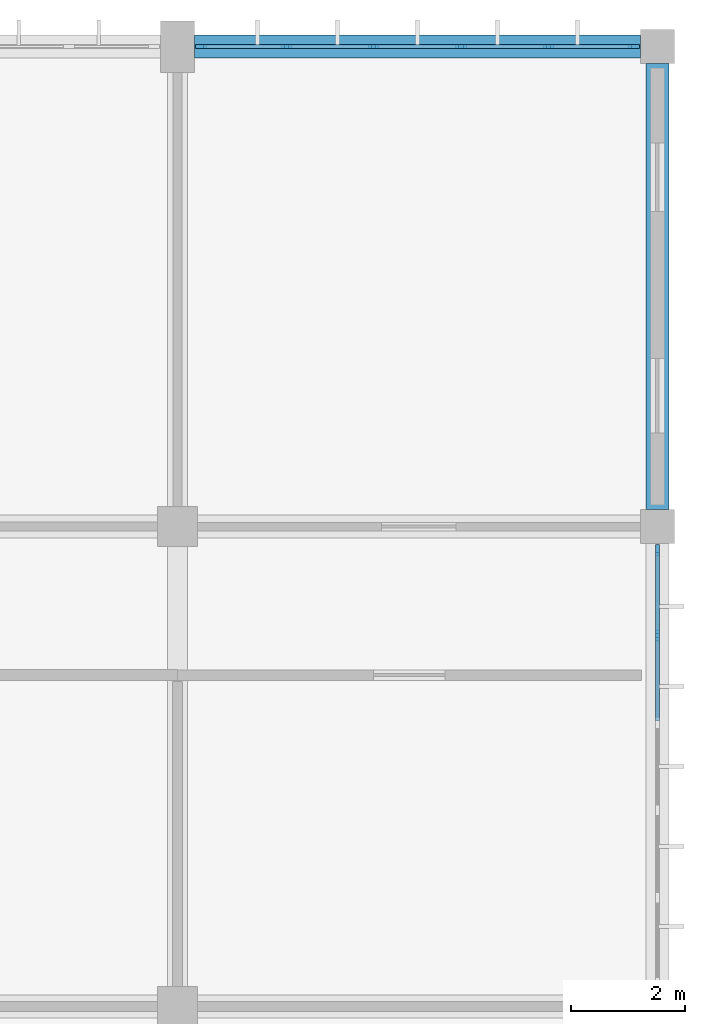
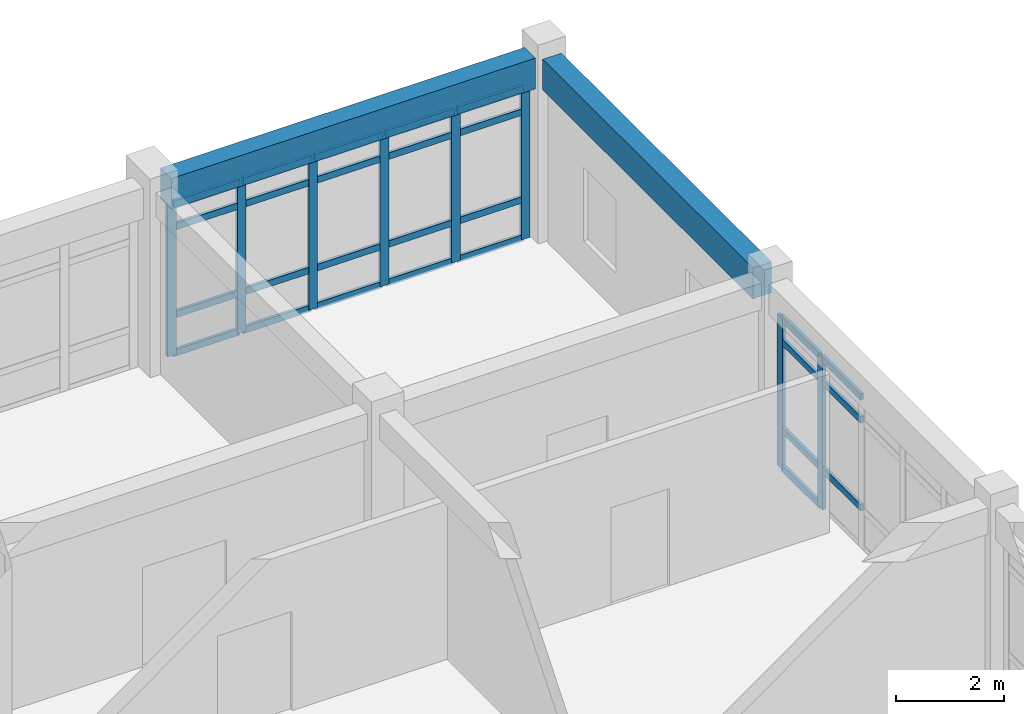
# One storey, part 69 of 144: 35 members, 2 beams, 2 elements without a shape of their own.
"""IFC4 building model written with IfcOpenShell, lengths in metres."""

from ifc_helpers import new_model, si_unit, direction, frame, origin, origin_2d, place, context, subcontext, project, spatial, rectangle, extrude, material, layer, layer_set, material_profile, profile_set, type_object, element, aggregate, save


model = new_model("IFC4")

# Units and contexts
model_context = context("Model", 3, precision=1e-05, world=origin(), true_north=direction((0.0, 1.0)))
body_context = subcontext(model_context, "Body", "Model", "MODEL_VIEW")
ifc_project = project(units=[si_unit("LENGTHUNIT", "METRE"), si_unit("AREAUNIT", "SQUARE_METRE"), si_unit("VOLUMEUNIT", "CUBIC_METRE"), si_unit("PLANEANGLEUNIT", "RADIAN"), si_unit("MASSUNIT", "GRAM", prefix="KILO")], contexts=[model_context])

# Site, building, storey
site_placement = place(None, origin())
site = spatial("IfcSite", under=ifc_project, at=site_placement, CompositionType="ELEMENT")
building_placement = place(site_placement, origin())
building = spatial("IfcBuilding", under=site, at=building_placement, Name="Bramfleet General Hospital", CompositionType="ELEMENT")
storey_placement = place(building_placement, frame((0.0, 0.0, 4.800048828125)))
storey = spatial("IfcBuildingStorey", under=building, at=storey_placement, Name="L01", CompositionType="ELEMENT", Elevation=4.800048828125)

# Beams
ifc_material_1 = material(Name="Concrete C35/45", Category="concrete")
ifc_material_profile_1 = material_profile(ifc_material_1, rectangle(XDim=0.39990234375, YDim=0.699951171875, at=origin_2d()), Name="RC SP 700x400")
ifc_profile_set_1 = profile_set([ifc_material_profile_1], Name="Concrete C35/45")
beam_type = type_object("IfcBeamType", Name="BM-SP700", PredefinedType="SPANDREL", material=ifc_profile_set_1)
for number, where, z_axis, x_axis, name in (
    (1, (159.89990234375, 117.60009765625, 3.800048828125), (1.0, 0.0, 0.0), (0.0, 1.0, 0.0), "L01 Grid Beam X 19-14"),
    (2, (168.0, 109.5, 3.800048828125), (0.0, 1.0, 0.0), (-1.0, 0.0, 0.0), "L01 Grid Beam Y 20-13"),
):
    element("IfcBeam", number, at=place(storey_placement, frame(where, z_axis=z_axis, x_axis=x_axis)), inside=storey, type_object=beam_type, Name=name, PredefinedType="SPANDREL", context=body_context, shape_type="SweptSolid", body=[
        extrude(rectangle(XDim=0.39990234375, YDim=0.699951171875, at=origin_2d()), origin(), (0.0, 0.0, 1.0), 7.800048828125),
    ])

# Curtain wall, members
ifc_material_2 = material(Name="Anodised aluminium and low-E triple glazing", Category="aluminium")
ifc_layer_1 = layer(ifc_material_2, 0.179931640625, Name="CWT-CW-12")
ifc_layer_set_1 = layer_set([ifc_layer_1], Name="Anodised aluminium and low-E triple glazing")
curtain_wall_type_1 = type_object("IfcCurtainWallType", Name="CWT-CW-12", PredefinedType="USERDEFINED", material=ifc_layer_set_1)
curtain_wall_1_placement = place(storey_placement, origin())
curtain_wall_1 = element("IfcCurtainWall", 3, at=curtain_wall_1_placement, inside=storey, type_object=curtain_wall_type_1, Name="L01 Curtain Wall 48", ObjectType="Stick curtain wall", PredefinedType="USERDEFINED")
ifc_material_3 = material(Name="Structural timber GL28h", Category="wood")
ifc_material_profile_2 = material_profile(ifc_material_3, rectangle(XDim=0.070068359375, YDim=0.18994140625, at=origin_2d()), Name="LARCH 190x70")
ifc_profile_set_2 = profile_set([ifc_material_profile_2], Name="Structural timber GL28h")
member_type_1 = type_object("IfcMemberType", Name="CWM-LARCH450", PredefinedType="MULLION", material=ifc_profile_set_2)
member_1_placement = place(storey_placement, frame((160.010009765625, 117.60009765625, 0.0), z_axis=(0.0, 0.0, 1.0), x_axis=(0.0, 1.0, 0.0)))
member_1 = element("IfcMember", 4, at=member_1_placement, type_object=member_type_1, Name="CW-12 mullion 1", PredefinedType="MULLION", context=body_context, shape_type="SweptSolid", body=[
    extrude(rectangle(XDim=0.070068359375, YDim=0.18994140625, at=origin_2d()), origin(), (0.0, 0.0, 1.0), 3.43994140625),
])
member_2_placement = place(storey_placement, frame((161.5048828125, 117.60009765625, 0.0), z_axis=(0.0, 0.0, 1.0), x_axis=(0.0, 1.0, 0.0)))
member_2 = element("IfcMember", 5, at=member_2_placement, type_object=member_type_1, Name="CW-12 mullion 2", PredefinedType="MULLION", context=body_context, shape_type="SweptSolid", body=[
    extrude(rectangle(XDim=0.070068359375, YDim=0.18994140625, at=origin_2d()), origin(), (0.0, 0.0, 1.0), 3.43994140625),
])
member_3_placement = place(storey_placement, frame((163.034912109375, 117.60009765625, 0.0), z_axis=(0.0, 0.0, 1.0), x_axis=(0.0, 1.0, 0.0)))
member_3 = element("IfcMember", 6, at=member_3_placement, type_object=member_type_1, Name="CW-12 mullion 3", PredefinedType="MULLION", context=body_context, shape_type="SweptSolid", body=[
    extrude(rectangle(XDim=0.070068359375, YDim=0.18994140625, at=origin_2d()), origin(), (0.0, 0.0, 1.0), 3.43994140625),
])
member_4_placement = place(storey_placement, frame((164.56494140625, 117.60009765625, 0.0), z_axis=(0.0, 0.0, 1.0), x_axis=(0.0, 1.0, 0.0)))
member_4 = element("IfcMember", 7, at=member_4_placement, type_object=member_type_1, Name="CW-12 mullion 4", PredefinedType="MULLION", context=body_context, shape_type="SweptSolid", body=[
    extrude(rectangle(XDim=0.070068359375, YDim=0.18994140625, at=origin_2d()), origin(), (0.0, 0.0, 1.0), 3.43994140625),
])
member_5_placement = place(storey_placement, frame((166.094970703125, 117.60009765625, 0.0), z_axis=(0.0, 0.0, 1.0), x_axis=(0.0, 1.0, 0.0)))
member_5 = element("IfcMember", 8, at=member_5_placement, type_object=member_type_1, Name="CW-12 mullion 5", PredefinedType="MULLION", context=body_context, shape_type="SweptSolid", body=[
    extrude(rectangle(XDim=0.070068359375, YDim=0.18994140625, at=origin_2d()), origin(), (0.0, 0.0, 1.0), 3.43994140625),
])
member_6_placement = place(storey_placement, frame((167.590087890625, 117.60009765625, 0.0), z_axis=(0.0, 0.0, 1.0), x_axis=(0.0, 1.0, 0.0)))
member_6 = element("IfcMember", 9, at=member_6_placement, type_object=member_type_1, Name="CW-12 mullion 6", PredefinedType="MULLION", context=body_context, shape_type="SweptSolid", body=[
    extrude(rectangle(XDim=0.070068359375, YDim=0.18994140625, at=origin_2d()), origin(), (0.0, 0.0, 1.0), 3.43994140625),
])

ifc_layer_2 = layer(ifc_material_2, 0.179931640625, Name="CWT-CW-13")
ifc_layer_set_2 = layer_set([ifc_layer_2], Name="Anodised aluminium and low-E triple glazing")
curtain_wall_type_2 = type_object("IfcCurtainWallType", Name="CWT-CW-13", PredefinedType="USERDEFINED", material=ifc_layer_set_2)
curtain_wall_2_placement = place(storey_placement, origin())
curtain_wall_2 = element("IfcCurtainWall", 10, at=curtain_wall_2_placement, inside=storey, type_object=curtain_wall_type_2, Name="L01 Curtain Wall 49", ObjectType="Stick curtain wall", PredefinedType="USERDEFINED")
member_7_placement = place(storey_placement, frame((168.0, 108.7900390625, 0.0), z_axis=(0.0, 0.0, 1.0), x_axis=(1.0, 0.0, 0.0)))
member_7 = element("IfcMember", 11, at=member_7_placement, type_object=member_type_1, Name="CW-13 mullion 1", PredefinedType="MULLION", context=body_context, shape_type="SweptSolid", body=[
    extrude(rectangle(XDim=0.070068359375, YDim=0.18994140625, at=origin_2d()), origin(), (0.0, 0.0, 1.0), 3.43994140625),
])
member_8_placement = place(storey_placement, frame((168.0, 107.294921875, 0.0), z_axis=(0.0, 0.0, 1.0), x_axis=(1.0, 0.0, 0.0)))
member_8 = element("IfcMember", 12, at=member_8_placement, type_object=member_type_1, Name="CW-13 mullion 2", PredefinedType="MULLION", context=body_context, shape_type="SweptSolid", body=[
    extrude(rectangle(XDim=0.070068359375, YDim=0.18994140625, at=origin_2d()), origin(), (0.0, 0.0, 1.0), 3.43994140625),
])

# Member
ifc_material_profile_3 = material_profile(ifc_material_3, rectangle(XDim=0.06494140625, YDim=0.14990234375, at=origin_2d()), Name="LARCH 150x65")
ifc_profile_set_3 = profile_set([ifc_material_profile_3], Name="Structural timber GL28h")
member_type_2 = type_object("IfcMemberType", Name="CWT-LARCH220", PredefinedType="USERDEFINED", material=ifc_profile_set_3)
member_9_placement = place(storey_placement, frame((160.044921875, 117.60009765625, 0.032470703125), z_axis=(1.0, 0.0, 0.0), x_axis=(0.0, 1.0, 0.0)))
member_9 = element("IfcMember", 13, at=member_9_placement, type_object=member_type_2, Name="CW-12 transom 1.1", ObjectType="TRANSOM", PredefinedType="USERDEFINED", context=body_context, shape_type="SweptSolid", body=[
    extrude(rectangle(XDim=0.06494140625, YDim=0.14990234375, at=origin_2d()), origin(), (0.0, 0.0, 1.0), 1.425048828125),
])

member_10_placement = place(storey_placement, frame((160.044921875, 117.60009765625, 0.89990234375), z_axis=(1.0, 0.0, 0.0), x_axis=(0.0, 1.0, 0.0)))
member_10 = element("IfcMember", 14, at=member_10_placement, type_object=member_type_2, Name="CW-12 transom 1.2", ObjectType="TRANSOM", PredefinedType="USERDEFINED", context=body_context, shape_type="SweptSolid", body=[
    extrude(rectangle(XDim=0.06494140625, YDim=0.14990234375, at=origin_2d()), origin(), (0.0, 0.0, 1.0), 1.425048828125),
])

member_11_placement = place(storey_placement, frame((160.044921875, 117.60009765625, 2.889892578125), z_axis=(1.0, 0.0, 0.0), x_axis=(0.0, 1.0, 0.0)))
member_11 = element("IfcMember", 15, at=member_11_placement, type_object=member_type_2, Name="CW-12 transom 1.3", ObjectType="TRANSOM", PredefinedType="USERDEFINED", context=body_context, shape_type="SweptSolid", body=[
    extrude(rectangle(XDim=0.06494140625, YDim=0.14990234375, at=origin_2d()), origin(), (0.0, 0.0, 1.0), 1.425048828125),
])

member_12_placement = place(storey_placement, frame((160.044921875, 117.60009765625, 3.407470703125), z_axis=(1.0, 0.0, 0.0), x_axis=(0.0, 1.0, 0.0)))
member_12 = element("IfcMember", 16, at=member_12_placement, type_object=member_type_2, Name="CW-12 transom 1.4", ObjectType="TRANSOM", PredefinedType="USERDEFINED", context=body_context, shape_type="SweptSolid", body=[
    extrude(rectangle(XDim=0.06494140625, YDim=0.14990234375, at=origin_2d()), origin(), (0.0, 0.0, 1.0), 1.425048828125),
])

member_13_placement = place(storey_placement, frame((161.5400390625, 117.60009765625, 0.032470703125), z_axis=(1.0, 0.0, 0.0), x_axis=(0.0, 1.0, 0.0)))
member_13 = element("IfcMember", 17, at=member_13_placement, type_object=member_type_2, Name="CW-12 transom 2.1", ObjectType="TRANSOM", PredefinedType="USERDEFINED", context=body_context, shape_type="SweptSolid", body=[
    extrude(rectangle(XDim=0.06494140625, YDim=0.14990234375, at=origin_2d()), origin(), (0.0, 0.0, 1.0), 1.4599609375),
])

member_14_placement = place(storey_placement, frame((161.5400390625, 117.60009765625, 0.89990234375), z_axis=(1.0, 0.0, 0.0), x_axis=(0.0, 1.0, 0.0)))
member_14 = element("IfcMember", 18, at=member_14_placement, type_object=member_type_2, Name="CW-12 transom 2.2", ObjectType="TRANSOM", PredefinedType="USERDEFINED", context=body_context, shape_type="SweptSolid", body=[
    extrude(rectangle(XDim=0.06494140625, YDim=0.14990234375, at=origin_2d()), origin(), (0.0, 0.0, 1.0), 1.4599609375),
])

member_15_placement = place(storey_placement, frame((161.5400390625, 117.60009765625, 2.889892578125), z_axis=(1.0, 0.0, 0.0), x_axis=(0.0, 1.0, 0.0)))
member_15 = element("IfcMember", 19, at=member_15_placement, type_object=member_type_2, Name="CW-12 transom 2.3", ObjectType="TRANSOM", PredefinedType="USERDEFINED", context=body_context, shape_type="SweptSolid", body=[
    extrude(rectangle(XDim=0.06494140625, YDim=0.14990234375, at=origin_2d()), origin(), (0.0, 0.0, 1.0), 1.4599609375),
])

member_16_placement = place(storey_placement, frame((161.5400390625, 117.60009765625, 3.407470703125), z_axis=(1.0, 0.0, 0.0), x_axis=(0.0, 1.0, 0.0)))
member_16 = element("IfcMember", 20, at=member_16_placement, type_object=member_type_2, Name="CW-12 transom 2.4", ObjectType="TRANSOM", PredefinedType="USERDEFINED", context=body_context, shape_type="SweptSolid", body=[
    extrude(rectangle(XDim=0.06494140625, YDim=0.14990234375, at=origin_2d()), origin(), (0.0, 0.0, 1.0), 1.4599609375),
])

member_17_placement = place(storey_placement, frame((163.070068359375, 117.60009765625, 0.032470703125), z_axis=(1.0, 0.0, 0.0), x_axis=(0.0, 1.0, 0.0)))
member_17 = element("IfcMember", 21, at=member_17_placement, type_object=member_type_2, Name="CW-12 transom 3.1", ObjectType="TRANSOM", PredefinedType="USERDEFINED", context=body_context, shape_type="SweptSolid", body=[
    extrude(rectangle(XDim=0.06494140625, YDim=0.14990234375, at=origin_2d()), origin(), (0.0, 0.0, 1.0), 1.4599609375),
])

member_18_placement = place(storey_placement, frame((163.070068359375, 117.60009765625, 0.89990234375), z_axis=(1.0, 0.0, 0.0), x_axis=(0.0, 1.0, 0.0)))
member_18 = element("IfcMember", 22, at=member_18_placement, type_object=member_type_2, Name="CW-12 transom 3.2", ObjectType="TRANSOM", PredefinedType="USERDEFINED", context=body_context, shape_type="SweptSolid", body=[
    extrude(rectangle(XDim=0.06494140625, YDim=0.14990234375, at=origin_2d()), origin(), (0.0, 0.0, 1.0), 1.4599609375),
])

member_19_placement = place(storey_placement, frame((163.070068359375, 117.60009765625, 2.889892578125), z_axis=(1.0, 0.0, 0.0), x_axis=(0.0, 1.0, 0.0)))
member_19 = element("IfcMember", 23, at=member_19_placement, type_object=member_type_2, Name="CW-12 transom 3.3", ObjectType="TRANSOM", PredefinedType="USERDEFINED", context=body_context, shape_type="SweptSolid", body=[
    extrude(rectangle(XDim=0.06494140625, YDim=0.14990234375, at=origin_2d()), origin(), (0.0, 0.0, 1.0), 1.4599609375),
])

member_20_placement = place(storey_placement, frame((163.070068359375, 117.60009765625, 3.407470703125), z_axis=(1.0, 0.0, 0.0), x_axis=(0.0, 1.0, 0.0)))
member_20 = element("IfcMember", 24, at=member_20_placement, type_object=member_type_2, Name="CW-12 transom 3.4", ObjectType="TRANSOM", PredefinedType="USERDEFINED", context=body_context, shape_type="SweptSolid", body=[
    extrude(rectangle(XDim=0.06494140625, YDim=0.14990234375, at=origin_2d()), origin(), (0.0, 0.0, 1.0), 1.4599609375),
])

member_21_placement = place(storey_placement, frame((164.60009765625, 117.60009765625, 0.032470703125), z_axis=(1.0, 0.0, 0.0), x_axis=(0.0, 1.0, 0.0)))
member_21 = element("IfcMember", 25, at=member_21_placement, type_object=member_type_2, Name="CW-12 transom 4.1", ObjectType="TRANSOM", PredefinedType="USERDEFINED", context=body_context, shape_type="SweptSolid", body=[
    extrude(rectangle(XDim=0.06494140625, YDim=0.14990234375, at=origin_2d()), origin(), (0.0, 0.0, 1.0), 1.4599609375),
])

member_22_placement = place(storey_placement, frame((164.60009765625, 117.60009765625, 0.89990234375), z_axis=(1.0, 0.0, 0.0), x_axis=(0.0, 1.0, 0.0)))
member_22 = element("IfcMember", 26, at=member_22_placement, type_object=member_type_2, Name="CW-12 transom 4.2", ObjectType="TRANSOM", PredefinedType="USERDEFINED", context=body_context, shape_type="SweptSolid", body=[
    extrude(rectangle(XDim=0.06494140625, YDim=0.14990234375, at=origin_2d()), origin(), (0.0, 0.0, 1.0), 1.4599609375),
])

member_23_placement = place(storey_placement, frame((164.60009765625, 117.60009765625, 2.889892578125), z_axis=(1.0, 0.0, 0.0), x_axis=(0.0, 1.0, 0.0)))
member_23 = element("IfcMember", 27, at=member_23_placement, type_object=member_type_2, Name="CW-12 transom 4.3", ObjectType="TRANSOM", PredefinedType="USERDEFINED", context=body_context, shape_type="SweptSolid", body=[
    extrude(rectangle(XDim=0.06494140625, YDim=0.14990234375, at=origin_2d()), origin(), (0.0, 0.0, 1.0), 1.4599609375),
])

member_24_placement = place(storey_placement, frame((164.60009765625, 117.60009765625, 3.407470703125), z_axis=(1.0, 0.0, 0.0), x_axis=(0.0, 1.0, 0.0)))
member_24 = element("IfcMember", 28, at=member_24_placement, type_object=member_type_2, Name="CW-12 transom 4.4", ObjectType="TRANSOM", PredefinedType="USERDEFINED", context=body_context, shape_type="SweptSolid", body=[
    extrude(rectangle(XDim=0.06494140625, YDim=0.14990234375, at=origin_2d()), origin(), (0.0, 0.0, 1.0), 1.4599609375),
])

member_25_placement = place(storey_placement, frame((166.1298828125, 117.60009765625, 0.032470703125), z_axis=(1.0, 0.0, 0.0), x_axis=(0.0, 1.0, 0.0)))
member_25 = element("IfcMember", 29, at=member_25_placement, type_object=member_type_2, Name="CW-12 transom 5.1", ObjectType="TRANSOM", PredefinedType="USERDEFINED", context=body_context, shape_type="SweptSolid", body=[
    extrude(rectangle(XDim=0.06494140625, YDim=0.14990234375, at=origin_2d()), origin(), (0.0, 0.0, 1.0), 1.425048828125),
])

member_26_placement = place(storey_placement, frame((166.1298828125, 117.60009765625, 0.89990234375), z_axis=(1.0, 0.0, 0.0), x_axis=(0.0, 1.0, 0.0)))
member_26 = element("IfcMember", 30, at=member_26_placement, type_object=member_type_2, Name="CW-12 transom 5.2", ObjectType="TRANSOM", PredefinedType="USERDEFINED", context=body_context, shape_type="SweptSolid", body=[
    extrude(rectangle(XDim=0.06494140625, YDim=0.14990234375, at=origin_2d()), origin(), (0.0, 0.0, 1.0), 1.425048828125),
])

member_27_placement = place(storey_placement, frame((166.1298828125, 117.60009765625, 2.889892578125), z_axis=(1.0, 0.0, 0.0), x_axis=(0.0, 1.0, 0.0)))
member_27 = element("IfcMember", 31, at=member_27_placement, type_object=member_type_2, Name="CW-12 transom 5.3", ObjectType="TRANSOM", PredefinedType="USERDEFINED", context=body_context, shape_type="SweptSolid", body=[
    extrude(rectangle(XDim=0.06494140625, YDim=0.14990234375, at=origin_2d()), origin(), (0.0, 0.0, 1.0), 1.425048828125),
])

member_28_placement = place(storey_placement, frame((166.1298828125, 117.60009765625, 3.407470703125), z_axis=(1.0, 0.0, 0.0), x_axis=(0.0, 1.0, 0.0)))
member_28 = element("IfcMember", 32, at=member_28_placement, type_object=member_type_2, Name="CW-12 transom 5.4", ObjectType="TRANSOM", PredefinedType="USERDEFINED", context=body_context, shape_type="SweptSolid", body=[
    extrude(rectangle(XDim=0.06494140625, YDim=0.14990234375, at=origin_2d()), origin(), (0.0, 0.0, 1.0), 1.425048828125),
])

aggregate(curtain_wall_1, [member_1, member_2, member_3, member_4, member_5, member_6, member_9, member_10, member_11, member_12, member_13, member_14, member_15, member_16, member_17, member_18, member_19, member_20, member_21, member_22, member_23, member_24, member_25, member_26, member_27, member_28])

member_29_placement = place(storey_placement, frame((168.0, 108.7548828125, 0.032470703125), z_axis=(0.0, -1.0, 0.0), x_axis=(1.0, 0.0, 0.0)))
member_29 = element("IfcMember", 33, at=member_29_placement, type_object=member_type_2, Name="CW-13 transom 1.1", ObjectType="TRANSOM", PredefinedType="USERDEFINED", context=body_context, shape_type="SweptSolid", body=[
    extrude(rectangle(XDim=0.06494140625, YDim=0.14990234375, at=origin_2d()), origin(), (0.0, 0.0, 1.0), 1.4248046875),
])

member_30_placement = place(storey_placement, frame((168.0, 108.7548828125, 0.89990234375), z_axis=(0.0, -1.0, 0.0), x_axis=(1.0, 0.0, 0.0)))
member_30 = element("IfcMember", 34, at=member_30_placement, type_object=member_type_2, Name="CW-13 transom 1.2", ObjectType="TRANSOM", PredefinedType="USERDEFINED", context=body_context, shape_type="SweptSolid", body=[
    extrude(rectangle(XDim=0.06494140625, YDim=0.14990234375, at=origin_2d()), origin(), (0.0, 0.0, 1.0), 1.4248046875),
])

member_31_placement = place(storey_placement, frame((168.0, 108.7548828125, 2.889892578125), z_axis=(0.0, -1.0, 0.0), x_axis=(1.0, 0.0, 0.0)))
member_31 = element("IfcMember", 35, at=member_31_placement, type_object=member_type_2, Name="CW-13 transom 1.3", ObjectType="TRANSOM", PredefinedType="USERDEFINED", context=body_context, shape_type="SweptSolid", body=[
    extrude(rectangle(XDim=0.06494140625, YDim=0.14990234375, at=origin_2d()), origin(), (0.0, 0.0, 1.0), 1.4248046875),
])

member_32_placement = place(storey_placement, frame((168.0, 108.7548828125, 3.407470703125), z_axis=(0.0, -1.0, 0.0), x_axis=(1.0, 0.0, 0.0)))
member_32 = element("IfcMember", 36, at=member_32_placement, type_object=member_type_2, Name="CW-13 transom 1.4", ObjectType="TRANSOM", PredefinedType="USERDEFINED", context=body_context, shape_type="SweptSolid", body=[
    extrude(rectangle(XDim=0.06494140625, YDim=0.14990234375, at=origin_2d()), origin(), (0.0, 0.0, 1.0), 1.4248046875),
])

member_33_placement = place(storey_placement, frame((168.0, 107.260009765625, 0.89990234375), z_axis=(0.0, -1.0, 0.0), x_axis=(1.0, 0.0, 0.0)))
member_33 = element("IfcMember", 37, at=member_33_placement, type_object=member_type_2, Name="CW-13 transom 2.2", ObjectType="TRANSOM", PredefinedType="USERDEFINED", context=body_context, shape_type="SweptSolid", body=[
    extrude(rectangle(XDim=0.06494140625, YDim=0.14990234375, at=origin_2d()), origin(), (0.0, 0.0, 1.0), 1.4599609375),
])

member_34_placement = place(storey_placement, frame((168.0, 107.260009765625, 2.889892578125), z_axis=(0.0, -1.0, 0.0), x_axis=(1.0, 0.0, 0.0)))
member_34 = element("IfcMember", 38, at=member_34_placement, type_object=member_type_2, Name="CW-13 transom 2.3", ObjectType="TRANSOM", PredefinedType="USERDEFINED", context=body_context, shape_type="SweptSolid", body=[
    extrude(rectangle(XDim=0.06494140625, YDim=0.14990234375, at=origin_2d()), origin(), (0.0, 0.0, 1.0), 1.4599609375),
])

member_35_placement = place(storey_placement, frame((168.0, 107.260009765625, 3.407470703125), z_axis=(0.0, -1.0, 0.0), x_axis=(1.0, 0.0, 0.0)))
member_35 = element("IfcMember", 39, at=member_35_placement, type_object=member_type_2, Name="CW-13 transom 2.4", ObjectType="TRANSOM", PredefinedType="USERDEFINED", context=body_context, shape_type="SweptSolid", body=[
    extrude(rectangle(XDim=0.06494140625, YDim=0.14990234375, at=origin_2d()), origin(), (0.0, 0.0, 1.0), 1.4599609375),
])

aggregate(curtain_wall_2, [member_7, member_8, member_29, member_30, member_31, member_32, member_33, member_34, member_35])

save(model, "model.ifc")
